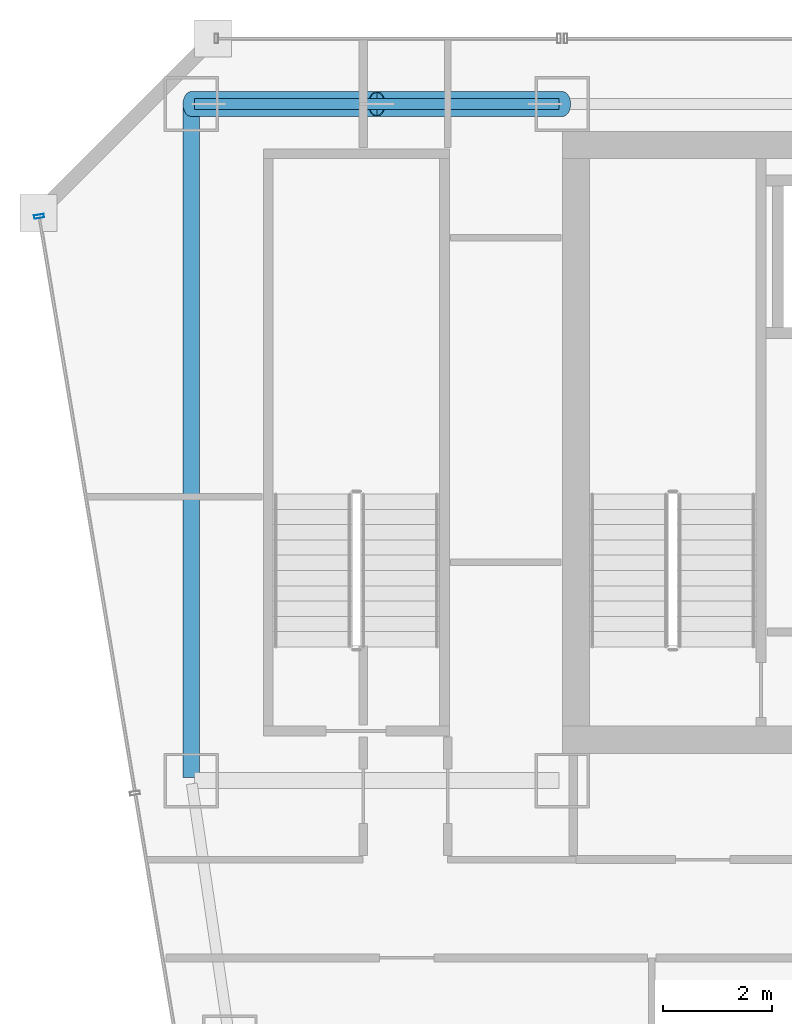
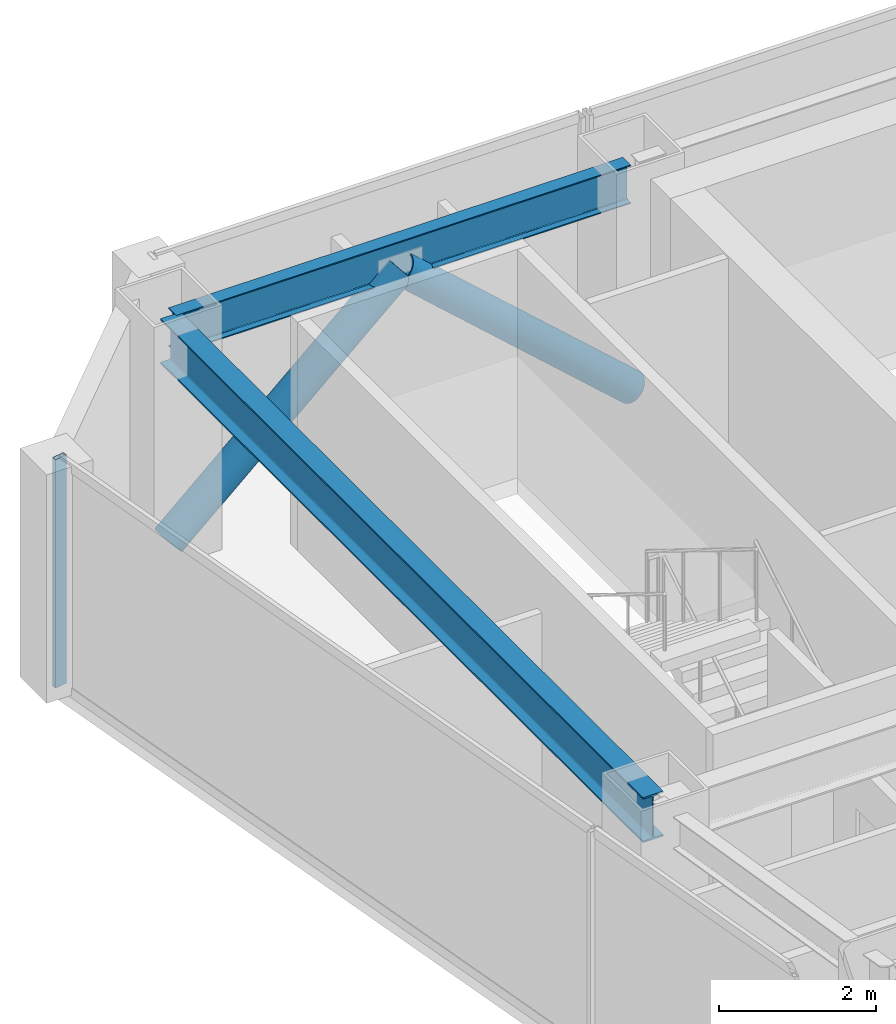
# One storey, part 20 of 37: 3 members, 2 beams, 1 element without a shape of its own.
"""IFC4 building model written with IfcOpenShell, lengths in metres."""

from ifc_helpers import new_model, si_unit, direction, frame, origin, origin_2d, place, context, subcontext, project, spatial, hollow_rectangle, hollow_circle, i_section, extrude, material, material_profile, profile_set, type_object, element, aggregate, save


model = new_model("IFC4")

# Units and contexts
model_context = context("Model", 3, precision=1e-05, world=origin(), true_north=direction((0.0, 1.0)))
body_context = subcontext(model_context, "Body", "Model", "MODEL_VIEW")
ifc_project = project(units=[si_unit("LENGTHUNIT", "METRE"), si_unit("AREAUNIT", "SQUARE_METRE"), si_unit("VOLUMEUNIT", "CUBIC_METRE"), si_unit("PLANEANGLEUNIT", "RADIAN"), si_unit("MASSUNIT", "GRAM", prefix="KILO")], contexts=[model_context])

# Site, building, storey
site_placement = place(None, origin())
site = spatial("IfcSite", under=ifc_project, at=site_placement, CompositionType="ELEMENT")
building_placement = place(site_placement, origin())
building = spatial("IfcBuilding", under=site, at=building_placement, Name="Saevonmaru Cultural Tower", CompositionType="ELEMENT")
storey_placement = place(building_placement, frame((0.0, 0.0, 141.0)))
storey = spatial("IfcBuildingStorey", under=building, at=storey_placement, Name="L30", CompositionType="ELEMENT", Elevation=141.0)

# Beams
ifc_material_1 = material(Name="Steel SM355", Category="steel")
ifc_material_profile_1 = material_profile(ifc_material_1, i_section(OverallWidth=0.300048828125, OverallDepth=0.699951171875, WebThickness=0.012939453125, FlangeThickness=0.02392578125, FilletRadius=0.02587890625, at=origin_2d()), Name="H-700x300x13x24")
ifc_profile_set_1 = profile_set([ifc_material_profile_1], Name="Steel SM355")
beam_type_1 = type_object("IfcBeamType", Name="BM-G-H700", PredefinedType="BEAM", material=ifc_profile_set_1)
beam_1_placement = place(storey_placement, frame((6.800048828125, 54.739990234375, 3.199951171875), z_axis=(0.0, -1.0, 0.0), x_axis=(1.0, 0.0, 0.0)))
element("IfcBeam", 1, at=beam_1_placement, inside=storey, type_object=beam_type_1, Name="L30 Spine Transverse Girder W", PredefinedType="BEAM", context=body_context, shape_type="SweptSolid", body=[
    extrude(i_section(OverallWidth=0.300048828125, OverallDepth=0.699951171875, WebThickness=0.012939453125, FlangeThickness=0.02392578125, FilletRadius=0.02587890625, at=origin_2d()), origin(), (0.0, 0.0, 1.0), 12.280029296875),
])
ifc_material_profile_2 = material_profile(ifc_material_1, i_section(OverallWidth=0.199951171875, OverallDepth=0.60009765625, WebThickness=0.010986328125, FlangeThickness=0.01708984375, FilletRadius=0.02197265625, at=origin_2d()), Name="H-600x200x11x17")
ifc_profile_set_2 = profile_set([ifc_material_profile_2], Name="Steel SM355")
beam_type_2 = type_object("IfcBeamType", Name="BM-SP-H600", PredefinedType="SPANDREL", material=ifc_profile_set_2)
beam_2_placement = place(storey_placement, frame((6.860107421875, 54.800048828125, 3.25), z_axis=(1.0, 0.0, 0.0), x_axis=(0.0, 1.0, 0.0)))
element("IfcBeam", 2, at=beam_2_placement, inside=storey, type_object=beam_type_2, Name="L30 North Spine Girder 1", PredefinedType="SPANDREL", context=body_context, shape_type="SweptSolid", body=[
    extrude(i_section(OverallWidth=0.199951171875, OverallDepth=0.60009765625, WebThickness=0.010986328125, FlangeThickness=0.01708984375, FilletRadius=0.02197265625, at=origin_2d()), origin(), (0.0, 0.0, 1.0), 6.679931640625),
])

# Members
ifc_material_2 = material(Name="Steel SM420", Category="steel")
ifc_material_profile_3 = material_profile(ifc_material_2, hollow_circle(Radius=0.228515625, WallThickness=0.02001953125, at=origin_2d()), Name="CHS-457.2x20")
ifc_profile_set_3 = profile_set([ifc_material_profile_3], Name="Steel SM420")
member_type_1 = type_object("IfcMemberType", Name="MB-PBR-CHS457", PredefinedType="BRACE", material=ifc_profile_set_3)
for number, where, z_axis, x_axis, name in (
    (3, (6.800048828125, 54.800048828125, 0.02001953125), (0.744366945704, 0.0, 0.667770806597), (0.0, 1.0, 0.0), "L30 Perimeter Braced-Tube Diagonal WN1"),
    (4, (13.60009765625, 54.800048828125, 0.02001953125), (-0.744390779303, 0.0, 0.66774423823), (0.0, -1.0, 0.0), "L30 Perimeter Braced-Tube Diagonal WN2"),
):
    element("IfcMember", number, at=place(storey_placement, frame(where, z_axis=z_axis, x_axis=x_axis)), inside=storey, type_object=member_type_1, Name=name, PredefinedType="BRACE", context=body_context, shape_type="SweptSolid", body=[
        extrude(hollow_circle(Radius=0.228515625, WallThickness=0.02001953125, at=origin_2d()), origin(), (0.0, 0.0, 1.0), 4.567626953125),
    ])

# Curtain wall, member
ifc_material_3 = material(Name="Satin Bronze Anodised Aluminium", Category="aluminium")
curtain_wall_type = type_object("IfcCurtainWallType", Name="CW-TYP-A", PredefinedType="NOTDEFINED", material=ifc_material_3)
curtain_wall_placement = place(storey_placement, origin())
curtain_wall = element("IfcCurtainWall", 5, at=curtain_wall_placement, inside=storey, type_object=curtain_wall_type, Name="L30 Unitised Curtain Wall E12", PredefinedType="NOTDEFINED")
ifc_material_profile_4 = material_profile(ifc_material_3, hollow_rectangle(XDim=0.06494140625, YDim=0.179931640625, WallThickness=0.00390625, at=origin_2d()), Name="ALU-MULL-180x65x4")
ifc_profile_set_4 = profile_set([ifc_material_profile_4], Name="Satin Bronze Anodised Aluminium")
member_type_2 = type_object("IfcMemberType", Name="ML-CW-180x65", PredefinedType="MULLION", material=ifc_profile_set_4)
member_placement = place(storey_placement, frame((4.009765625, 52.74072265625, 0.0), z_axis=(0.0, 0.0, 1.0), x_axis=(0.163998702345, -0.986460554523, 0.0)))
member = element("IfcMember", 6, at=member_placement, type_object=member_type_2, Name="CW-TW-L30-E12 mullion 1", PredefinedType="MULLION", context=body_context, shape_type="SweptSolid", body=[
    extrude(hollow_rectangle(XDim=0.06494140625, YDim=0.179931640625, WallThickness=0.00390625, at=origin_2d()), origin(), (0.0, 0.0, 1.0), 3.550048828125),
])
aggregate(curtain_wall, [member])

save(model, "model.ifc")
